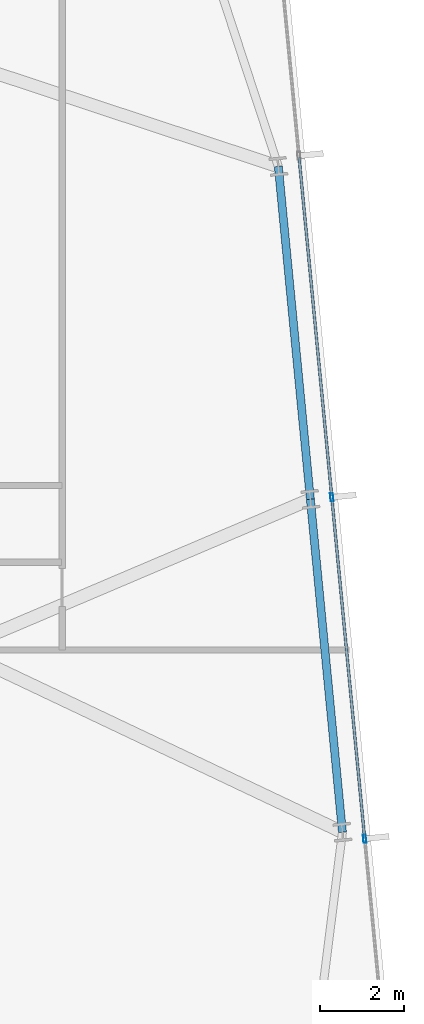
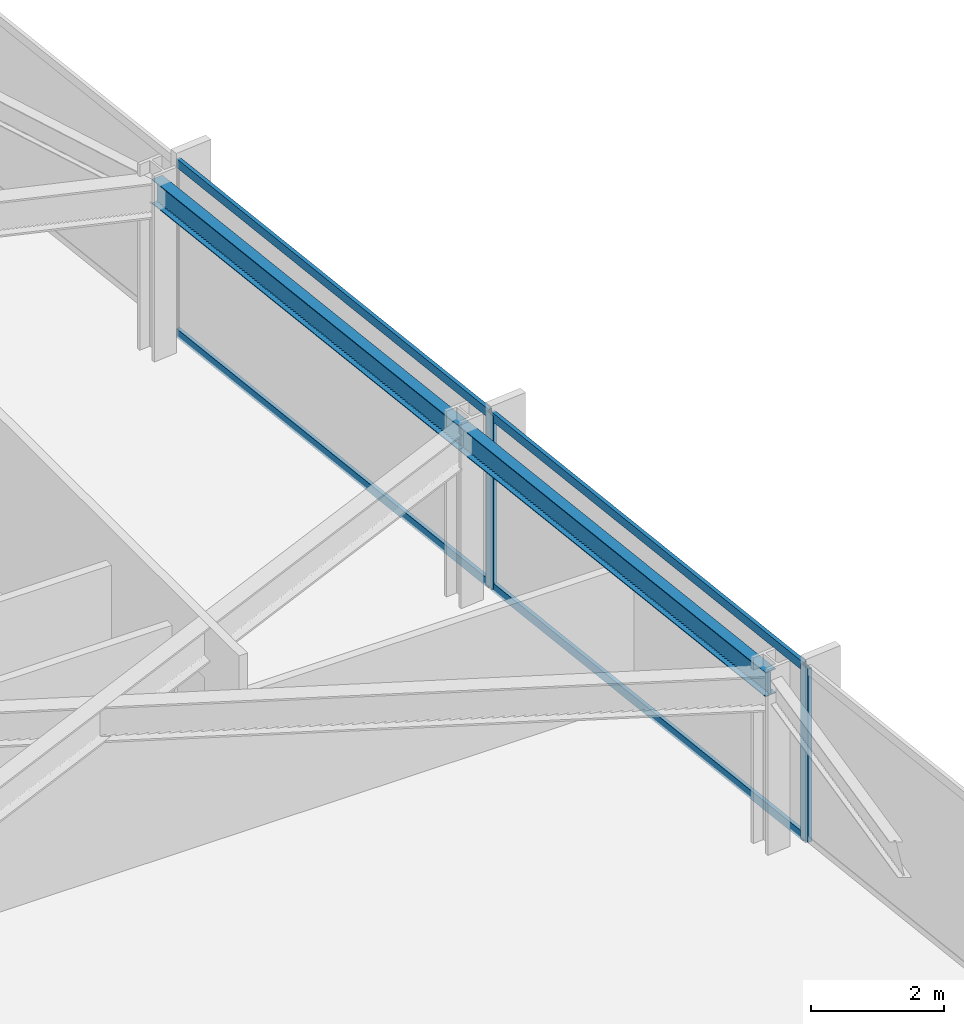
# One storey, part 16 of 32: 6 members, 2 beams, 1 element without a shape of its own.
"""IFC4 building model written with IfcOpenShell, lengths in metres."""

from ifc_helpers import new_model, si_unit, direction, frame, origin, origin_2d, place, context, subcontext, project, spatial, hollow_rectangle, i_section, extrude, material, material_profile, profile_set, type_object, element, aggregate, save


model = new_model("IFC4")

# Units and contexts
model_context = context("Model", 3, precision=1e-05, world=origin(), true_north=direction((0.0, 1.0)))
body_context = subcontext(model_context, "Body", "Model", "MODEL_VIEW")
ifc_project = project(units=[si_unit("LENGTHUNIT", "METRE"), si_unit("AREAUNIT", "SQUARE_METRE"), si_unit("VOLUMEUNIT", "CUBIC_METRE"), si_unit("PLANEANGLEUNIT", "RADIAN"), si_unit("MASSUNIT", "GRAM", prefix="KILO")], contexts=[model_context])

# Site, building, storey
site_placement = place(None, origin())
site = spatial("IfcSite", under=ifc_project, at=site_placement, CompositionType="ELEMENT")
building_placement = place(site_placement, origin())
building = spatial("IfcBuilding", under=site, at=building_placement, Name="Yelkora Congress Tower", CompositionType="ELEMENT")
storey_placement = place(building_placement, frame((0.0, 0.0, 116.89990234375)))
storey = spatial("IfcBuildingStorey", under=building, at=storey_placement, Name="L31", CompositionType="ELEMENT", Elevation=116.89990234375)

# Beams
ifc_material_1 = material(Name="Steel S355J2", Category="steel")
ifc_material_profile_1 = material_profile(ifc_material_1, i_section(OverallWidth=0.18994140625, OverallDepth=0.449951171875, WebThickness=0.009521484375, FlangeThickness=0.0146484375, FilletRadius=0.02099609375, at=origin_2d()), Name="IPE 450")
ifc_profile_set_1 = profile_set([ifc_material_profile_1], Name="Steel S355J2")
beam_type = type_object("IfcBeamType", Name="BM-SPAN-IPE450", PredefinedType="SPANDREL", material=ifc_profile_set_1)
beam_1_placement = place(storey_placement, frame((76.041259765625, 24.83349609375, 2.955078125), z_axis=(-0.095839787071, 0.995396772757, 0.0), x_axis=(-0.995396772757, -0.095839787071, 0.0)))
element("IfcBeam", 1, at=beam_1_placement, inside=storey, type_object=beam_type, Name="L31 Perimeter Beam 11", PredefinedType="SPANDREL", context=body_context, shape_type="SweptSolid", body=[
    extrude(i_section(OverallWidth=0.18994140625, OverallDepth=0.449951171875, WebThickness=0.009521484375, FlangeThickness=0.0146484375, FilletRadius=0.02099609375, at=origin_2d()), origin(), (0.0, 0.0, 1.0), 7.9248046875),
])
beam_2_placement = place(storey_placement, frame((75.28173828125, 32.721923828125, 2.955078125), z_axis=(-0.09583684824, 0.995397055712, 0.0), x_axis=(-0.995397055712, -0.09583684824, 0.0)))
element("IfcBeam", 2, at=beam_2_placement, inside=storey, type_object=beam_type, Name="L31 Perimeter Beam 12", PredefinedType="SPANDREL", context=body_context, shape_type="SweptSolid", body=[
    extrude(i_section(OverallWidth=0.18994140625, OverallDepth=0.449951171875, WebThickness=0.009521484375, FlangeThickness=0.0146484375, FilletRadius=0.02099609375, at=origin_2d()), origin(), (0.0, 0.0, 1.0), 7.925048828125),
])

# Curtain wall, members
ifc_material_2 = material(Name="Anodised aluminium and insulated glass", Category="aluminium")
curtain_wall_type = type_object("IfcCurtainWallType", Name="CW-SYS-B2", PredefinedType="NOTDEFINED", material=ifc_material_2)
curtain_wall_placement = place(storey_placement, origin())
curtain_wall = element("IfcCurtainWall", 3, at=curtain_wall_placement, inside=storey, type_object=curtain_wall_type, Name="L31 Unitised Curtain Wall 15", PredefinedType="NOTDEFINED")
ifc_material_3 = material(Name="Anodised aluminium 6063-T6", Category="aluminium")
ifc_material_profile_2 = material_profile(ifc_material_3, hollow_rectangle(XDim=0.070068359375, YDim=0.18994140625, WallThickness=0.00390625, at=origin_2d()), Name="ALU 70x190x4")
ifc_profile_set_2 = profile_set([ifc_material_profile_2], Name="Anodised aluminium 6063-T6")
member_type_1 = type_object("IfcMemberType", Name="MEM-ML-B2", PredefinedType="MULLION", material=ifc_profile_set_2)
member_1_placement = place(storey_placement, frame((75.789306640625, 32.770751953125, 0.0), z_axis=(0.0, 0.0, 1.0), x_axis=(0.995396507508, 0.095842541913, 0.0)))
member_1 = element("IfcMember", 4, at=member_1_placement, type_object=member_type_1, Name="CW-B2 mullion 3", PredefinedType="MULLION", context=body_context, shape_type="SweptSolid", body=[
    extrude(hollow_rectangle(XDim=0.070068359375, YDim=0.18994140625, WallThickness=0.00390625, at=origin_2d()), origin(), (0.0, 0.0, 1.0), 3.18017578125),
])
member_2_placement = place(storey_placement, frame((76.568603515625, 24.67822265625, 0.0), z_axis=(0.0, 0.0, 1.0), x_axis=(0.995396507508, 0.095842541913, 0.0)))
member_2 = element("IfcMember", 5, at=member_2_placement, type_object=member_type_1, Name="CW-B2 mullion 4", PredefinedType="MULLION", context=body_context, shape_type="SweptSolid", body=[
    extrude(hollow_rectangle(XDim=0.070068359375, YDim=0.18994140625, WallThickness=0.00390625, at=origin_2d()), origin(), (0.0, 0.0, 1.0), 3.18017578125),
])
ifc_material_profile_3 = material_profile(ifc_material_3, hollow_rectangle(XDim=0.06494140625, YDim=0.159912109375, WallThickness=0.00390625, at=origin_2d()), Name="ALU 65x160x4")
ifc_profile_set_3 = profile_set([ifc_material_profile_3], Name="Anodised aluminium 6063-T6")
member_type_2 = type_object("IfcMemberType", Name="MEM-TR-B2", PredefinedType="USERDEFINED", material=ifc_profile_set_3)
member_3_placement = place(storey_placement, frame((75.013427734375, 40.82861328125, 0.03271484375), z_axis=(0.095838228465, -0.995396922823, 0.0), x_axis=(0.995396922823, 0.095838228465, 0.0)))
member_3 = element("IfcMember", 6, at=member_3_placement, type_object=member_type_2, Name="CW-B2 transom 2.1", ObjectType="TRANSOM", PredefinedType="USERDEFINED", context=body_context, shape_type="SweptSolid", body=[
    extrude(hollow_rectangle(XDim=0.06494140625, YDim=0.159912109375, WallThickness=0.00390625, at=origin_2d()), origin(), (0.0, 0.0, 1.0), 8.06005859375),
])
member_4_placement = place(storey_placement, frame((75.013427734375, 40.82861328125, 3.147705078125), z_axis=(0.095838228465, -0.995396922823, 0.0), x_axis=(0.995396922823, 0.095838228465, 0.0)))
member_4 = element("IfcMember", 7, at=member_4_placement, type_object=member_type_2, Name="CW-B2 transom 2.2", ObjectType="TRANSOM", PredefinedType="USERDEFINED", context=body_context, shape_type="SweptSolid", body=[
    extrude(hollow_rectangle(XDim=0.06494140625, YDim=0.159912109375, WallThickness=0.00390625, at=origin_2d()), origin(), (0.0, 0.0, 1.0), 8.06005859375),
])
member_5_placement = place(storey_placement, frame((75.792724609375, 32.736083984375, 0.03271484375), z_axis=(0.095838228465, -0.995396922823, 0.0), x_axis=(0.995396922823, 0.095838228465, 0.0)))
member_5 = element("IfcMember", 8, at=member_5_placement, type_object=member_type_2, Name="CW-B2 transom 3.1", ObjectType="TRANSOM", PredefinedType="USERDEFINED", context=body_context, shape_type="SweptSolid", body=[
    extrude(hollow_rectangle(XDim=0.06494140625, YDim=0.159912109375, WallThickness=0.00390625, at=origin_2d()), origin(), (0.0, 0.0, 1.0), 8.06005859375),
])
member_6_placement = place(storey_placement, frame((75.792724609375, 32.736083984375, 3.147705078125), z_axis=(0.095838228465, -0.995396922823, 0.0), x_axis=(0.995396922823, 0.095838228465, 0.0)))
member_6 = element("IfcMember", 9, at=member_6_placement, type_object=member_type_2, Name="CW-B2 transom 3.2", ObjectType="TRANSOM", PredefinedType="USERDEFINED", context=body_context, shape_type="SweptSolid", body=[
    extrude(hollow_rectangle(XDim=0.06494140625, YDim=0.159912109375, WallThickness=0.00390625, at=origin_2d()), origin(), (0.0, 0.0, 1.0), 8.06005859375),
])
aggregate(curtain_wall, [member_1, member_2, member_3, member_4, member_5, member_6])

save(model, "model.ifc")
